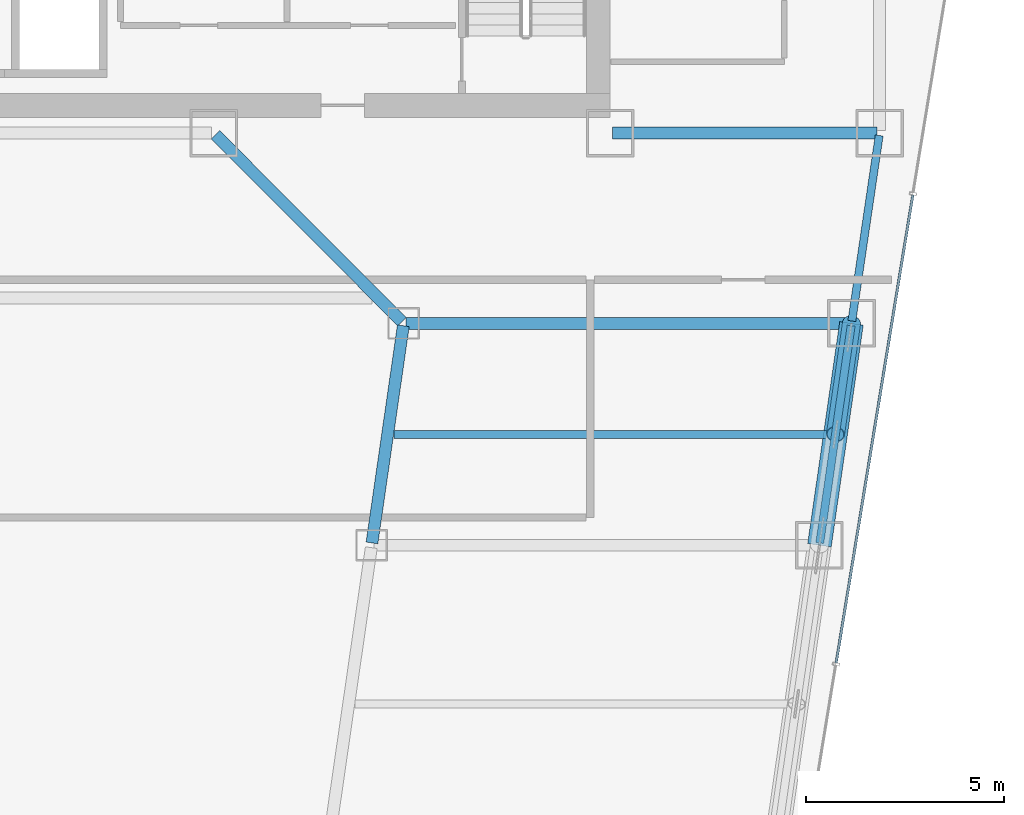
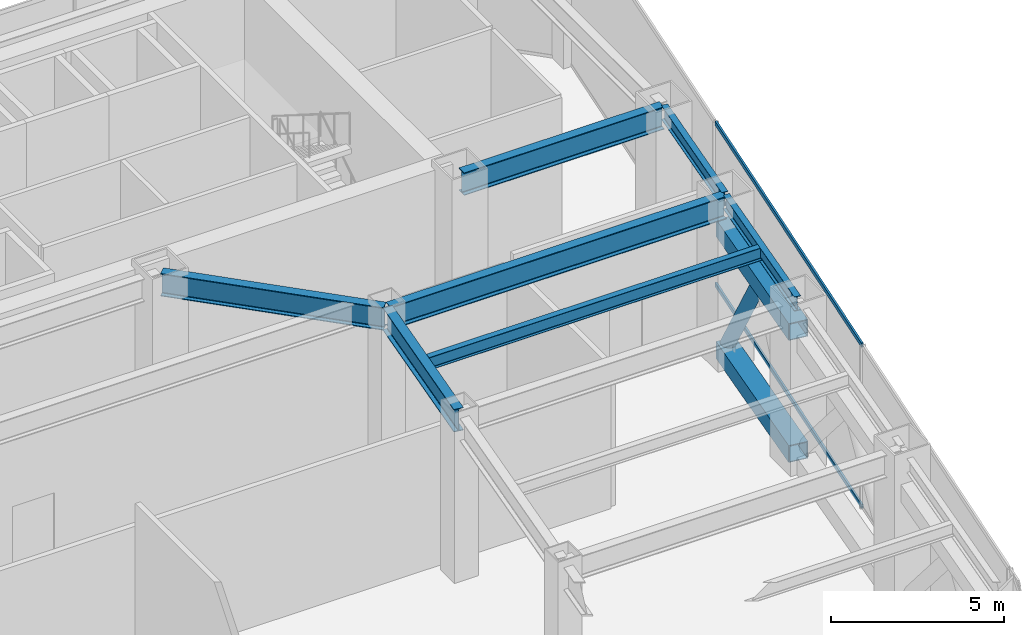
# One storey, part 24 of 35: 7 beams, 5 members, 1 element without a shape of its own.
"""IFC4 building model written with IfcOpenShell, lengths in metres."""

from ifc_helpers import new_model, si_unit, direction, frame, origin, origin_2d, place, context, subcontext, project, spatial, hollow_rectangle, hollow_circle, i_section, extrude, material, material_profile, profile_set, type_object, element, aggregate, save


model = new_model("IFC4")

# Units and contexts
model_context = context("Model", 3, precision=1e-05, world=origin(), true_north=direction((0.0, 1.0)))
body_context = subcontext(model_context, "Body", "Model", "MODEL_VIEW")
ifc_project = project(units=[si_unit("LENGTHUNIT", "METRE"), si_unit("AREAUNIT", "SQUARE_METRE"), si_unit("VOLUMEUNIT", "CUBIC_METRE"), si_unit("PLANEANGLEUNIT", "RADIAN"), si_unit("MASSUNIT", "GRAM", prefix="KILO")], contexts=[model_context])

# Site, building, storey
site_placement = place(None, origin())
site = spatial("IfcSite", under=ifc_project, at=site_placement, CompositionType="ELEMENT")
building_placement = place(site_placement, origin())
building = spatial("IfcBuilding", under=site, at=building_placement, Name="Saevonmaru Cultural Tower", CompositionType="ELEMENT")
storey_placement = place(building_placement, frame((0.0, 0.0, 86.800048828125)))
storey = spatial("IfcBuildingStorey", under=building, at=storey_placement, Name="L18", CompositionType="ELEMENT", Elevation=86.800048828125)

# Beams
ifc_material_1 = material(Name="Steel SM420", Category="steel")
ifc_material_profile_1 = material_profile(ifc_material_1, i_section(OverallWidth=0.300048828125, OverallDepth=0.800048828125, WebThickness=0.013916015625, FlangeThickness=0.02587890625, FilletRadius=0.028076171875, at=origin_2d()), Name="H-800x300x14x26")
ifc_profile_set_1 = profile_set([ifc_material_profile_1], Name="Steel SM420")
beam_type_1 = type_object("IfcBeamType", Name="BM-G-H800", PredefinedType="BEAM", material=ifc_profile_set_1)
beam_1_placement = place(storey_placement, frame((46.4599609375, 42.39990234375, 5.349853515625), z_axis=(1.0, 0.0, 0.0), x_axis=(0.0, 1.0, 0.0)))
element("IfcBeam", 1, at=beam_1_placement, inside=storey, type_object=beam_type_1, Name="L18 Core South Girder 5", PredefinedType="BEAM", context=body_context, shape_type="SweptSolid", body=[
    extrude(i_section(OverallWidth=0.300048828125, OverallDepth=0.800048828125, WebThickness=0.013916015625, FlangeThickness=0.02587890625, FilletRadius=0.028076171875, at=origin_2d()), origin(), (0.0, 0.0, 1.0), 6.679931640625),
])
beam_2_placement = place(storey_placement, frame((40.3916015625, 32.059326171875, 5.349853515625), z_axis=(0.142964121327, 0.989727871697, 0.0), x_axis=(-0.989727871697, 0.142964121327, 0.0)))
element("IfcBeam", 2, at=beam_2_placement, inside=storey, type_object=beam_type_1, Name="L18 East Atrium Girder 5", PredefinedType="BEAM", context=body_context, shape_type="SweptSolid", body=[
    extrude(i_section(OverallWidth=0.300048828125, OverallDepth=0.800048828125, WebThickness=0.013916015625, FlangeThickness=0.02587890625, FilletRadius=0.028076171875, at=origin_2d()), origin(), (0.0, 0.0, 1.0), 5.5380859375),
])
beam_3_placement = place(storey_placement, frame((41.149658203125, 37.642578125, 5.349853515625), z_axis=(-0.706538566564, 0.707674539572, 0.0), x_axis=(-0.707674539572, -0.706538566564, 0.0)))
element("IfcBeam", 3, at=beam_3_placement, inside=storey, type_object=beam_type_1, Name="L18 East Atrium Girder 6", PredefinedType="BEAM", context=body_context, shape_type="SweptSolid", body=[
    extrude(i_section(OverallWidth=0.300048828125, OverallDepth=0.800048828125, WebThickness=0.013916015625, FlangeThickness=0.02587890625, FilletRadius=0.028076171875, at=origin_2d()), origin(), (0.0, 0.0, 1.0), 6.662353515625),
])
beam_4_placement = place(storey_placement, frame((41.251953125, 37.60009765625, 5.349853515625), z_axis=(1.0, 0.0, 0.0), x_axis=(0.0, 1.0, 0.0)))
element("IfcBeam", 4, at=beam_4_placement, inside=storey, type_object=beam_type_1, Name="L18 East Wing Transverse Girder 6", PredefinedType="BEAM", context=body_context, shape_type="SweptSolid", body=[
    extrude(i_section(OverallWidth=0.300048828125, OverallDepth=0.800048828125, WebThickness=0.013916015625, FlangeThickness=0.02587890625, FilletRadius=0.028076171875, at=origin_2d()), origin(), (0.0, 0.0, 1.0), 11.179931640625),
])
ifc_material_2 = material(Name="Steel SM355", Category="steel")
ifc_material_profile_2 = material_profile(ifc_material_2, i_section(OverallWidth=0.199951171875, OverallDepth=0.449951171875, WebThickness=0.009033203125, FlangeThickness=0.013916015625, FilletRadius=0.01806640625, at=origin_2d()), Name="H-450x200x9x14")
ifc_profile_set_2 = profile_set([ifc_material_profile_2], Name="Steel SM355")
beam_type_2 = type_object("IfcBeamType", Name="BM-J-H450", PredefinedType="JOIST", material=ifc_profile_set_2)
beam_5_placement = place(storey_placement, frame((40.945556640625, 34.800048828125, 5.52490234375), z_axis=(1.0, 0.0, 0.0), x_axis=(0.0, 1.0, 0.0)))
element("IfcBeam", 5, at=beam_5_placement, inside=storey, type_object=beam_type_2, Name="L18 East Wing Floor Joist 5", PredefinedType="JOIST", context=body_context, shape_type="SweptSolid", body=[
    extrude(i_section(OverallWidth=0.199951171875, OverallDepth=0.449951171875, WebThickness=0.009033203125, FlangeThickness=0.013916015625, FilletRadius=0.01806640625, at=origin_2d()), origin(), (0.0, 0.0, 1.0), 11.08203125),
])
ifc_material_profile_3 = material_profile(ifc_material_2, i_section(OverallWidth=0.199951171875, OverallDepth=0.5, WebThickness=0.010009765625, FlangeThickness=0.01611328125, FilletRadius=0.02001953125, at=origin_2d()), Name="H-500x200x10x16")
ifc_profile_set_3 = profile_set([ifc_material_profile_3], Name="Steel SM355")
beam_type_3 = type_object("IfcBeamType", Name="BM-SP-H500", PredefinedType="SPANDREL", material=ifc_profile_set_3)
beam_6_placement = place(storey_placement, frame((51.691650390625, 32.059326171875, 5.5), z_axis=(0.142964121327, 0.989727871697, 0.0), x_axis=(-0.989727871697, 0.142964121327, 0.0)))
element("IfcBeam", 6, at=beam_6_placement, inside=storey, type_object=beam_type_3, Name="L18 East Splayed Spandrel 5", PredefinedType="SPANDREL", context=body_context, shape_type="SweptSolid", body=[
    extrude(i_section(OverallWidth=0.199951171875, OverallDepth=0.5, WebThickness=0.010009765625, FlangeThickness=0.01611328125, FilletRadius=0.02001953125, at=origin_2d()), origin(), (0.0, 0.0, 1.0), 5.5380859375),
])
beam_7_placement = place(storey_placement, frame((52.500732421875, 37.659423828125, 5.5), z_axis=(0.145912860028, 0.989297446312, 0.0), x_axis=(-0.989297446312, 0.145912860028, 0.0)))
element("IfcBeam", 7, at=beam_7_placement, inside=storey, type_object=beam_type_3, Name="L18 East Splayed Spandrel 6", PredefinedType="SPANDREL", context=body_context, shape_type="SweptSolid", body=[
    extrude(i_section(OverallWidth=0.199951171875, OverallDepth=0.5, WebThickness=0.010009765625, FlangeThickness=0.01611328125, FilletRadius=0.02001953125, at=origin_2d()), origin(), (0.0, 0.0, 1.0), 4.731689453125),
])

# Members
ifc_material_profile_4 = material_profile(ifc_material_1, hollow_circle(Radius=0.228515625, WallThickness=0.02001953125, at=origin_2d()), Name="CHS-457.2x20")
ifc_profile_set_4 = profile_set([ifc_material_profile_4], Name="Steel SM420")
member_type_1 = type_object("IfcMemberType", Name="MB-BBR-CHS457", PredefinedType="BRACE", material=ifc_profile_set_4)
member_1_placement = place(storey_placement, frame((52.491943359375, 37.60009765625, 0.300048828125), z_axis=(-0.078690770617, -0.544005092349, 0.8353838771), x_axis=(0.98969943996, -0.143160813575, 0.0)))
element("IfcMember", 8, at=member_1_placement, inside=storey, type_object=member_type_1, Name="L18 Belt Truss Diagonal BE5-2", PredefinedType="BRACE", context=body_context, shape_type="SweptSolid", body=[
    extrude(hollow_circle(Radius=0.228515625, WallThickness=0.02001953125, at=origin_2d()), origin(), (0.0, 0.0, 1.0), 5.147216796875),
])
ifc_material_profile_5 = material_profile(ifc_material_1, hollow_rectangle(XDim=0.60009765625, YDim=0.60009765625, WallThickness=0.028076171875, at=origin_2d()), Name="BOX-600x600x28")
ifc_profile_set_5 = profile_set([ifc_material_profile_5], Name="Steel SM420")
member_type_2 = type_object("IfcMemberType", Name="MB-BCH-BOX600", PredefinedType="CHORD", material=ifc_profile_set_5)
for number, where, z_axis, x_axis, name in (
    (9, (51.68310546875, 32.0, 0.300048828125), (0.142949491659, 0.989729984811, 0.0), (-0.989729984811, 0.142949491659, 0.0), "L18 Belt Truss Bottom Chord BE5"),
    (10, (51.68310546875, 32.0, 4.599853515625), (0.142949491659, 0.989729984811, 0.0), (-0.989729984811, 0.142949491659, 0.0), "L18 Belt Truss Top Chord BE5"),
):
    element("IfcMember", number, at=place(storey_placement, frame(where, z_axis=z_axis, x_axis=x_axis)), inside=storey, type_object=member_type_2, Name=name, PredefinedType="CHORD", context=body_context, shape_type="SweptSolid", body=[
        extrude(hollow_rectangle(XDim=0.60009765625, YDim=0.60009765625, WallThickness=0.028076171875, at=origin_2d()), origin(), (0.0, 0.0, 1.0), 5.658203125),
    ])

# Curtain wall, members
ifc_material_3 = material(Name="Satin Bronze Anodised Aluminium", Category="aluminium")
curtain_wall_type = type_object("IfcCurtainWallType", Name="CW-TYP-A", PredefinedType="NOTDEFINED", material=ifc_material_3)
curtain_wall_placement = place(storey_placement, origin())
curtain_wall = element("IfcCurtainWall", 11, at=curtain_wall_placement, inside=storey, type_object=curtain_wall_type, Name="L18 Wind-Floor Acoustic Louvre Screen E8", PredefinedType="NOTDEFINED")
ifc_material_profile_6 = material_profile(ifc_material_3, hollow_rectangle(XDim=0.06494140625, YDim=0.14990234375, WallThickness=0.00390625, at=origin_2d()), Name="ALU-TRAN-150x65x4")
ifc_profile_set_6 = profile_set([ifc_material_profile_6], Name="Satin Bronze Anodised Aluminium")
member_type_3 = type_object("IfcMemberType", Name="TR-CW-150x65", PredefinedType="USERDEFINED", material=ifc_profile_set_6)
member_2_placement = place(storey_placement, frame((52.105224609375, 29.031982421875, 0.032470703125), z_axis=(0.161701400727, 0.986839732177, 0.0), x_axis=(-0.986839732177, 0.161701400727, 0.0)))
member_2 = element("IfcMember", 12, at=member_2_placement, type_object=member_type_3, Name="CW-TW-L18-E8 transom 3.1", ObjectType="TRANSOM", PredefinedType="USERDEFINED", context=body_context, shape_type="SweptSolid", body=[
    extrude(hollow_rectangle(XDim=0.06494140625, YDim=0.14990234375, WallThickness=0.00390625, at=origin_2d()), origin(), (0.0, 0.0, 1.0), 11.9638671875),
])
member_3_placement = place(storey_placement, frame((52.105224609375, 29.031982421875, 5.717529296875), z_axis=(0.161701400727, 0.986839732177, 0.0), x_axis=(-0.986839732177, 0.161701400727, 0.0)))
member_3 = element("IfcMember", 13, at=member_3_placement, type_object=member_type_3, Name="CW-TW-L18-E8 transom 3.2", ObjectType="TRANSOM", PredefinedType="USERDEFINED", context=body_context, shape_type="SweptSolid", body=[
    extrude(hollow_rectangle(XDim=0.06494140625, YDim=0.14990234375, WallThickness=0.00390625, at=origin_2d()), origin(), (0.0, 0.0, 1.0), 11.9638671875),
])
aggregate(curtain_wall, [member_2, member_3])

save(model, "model.ifc")
